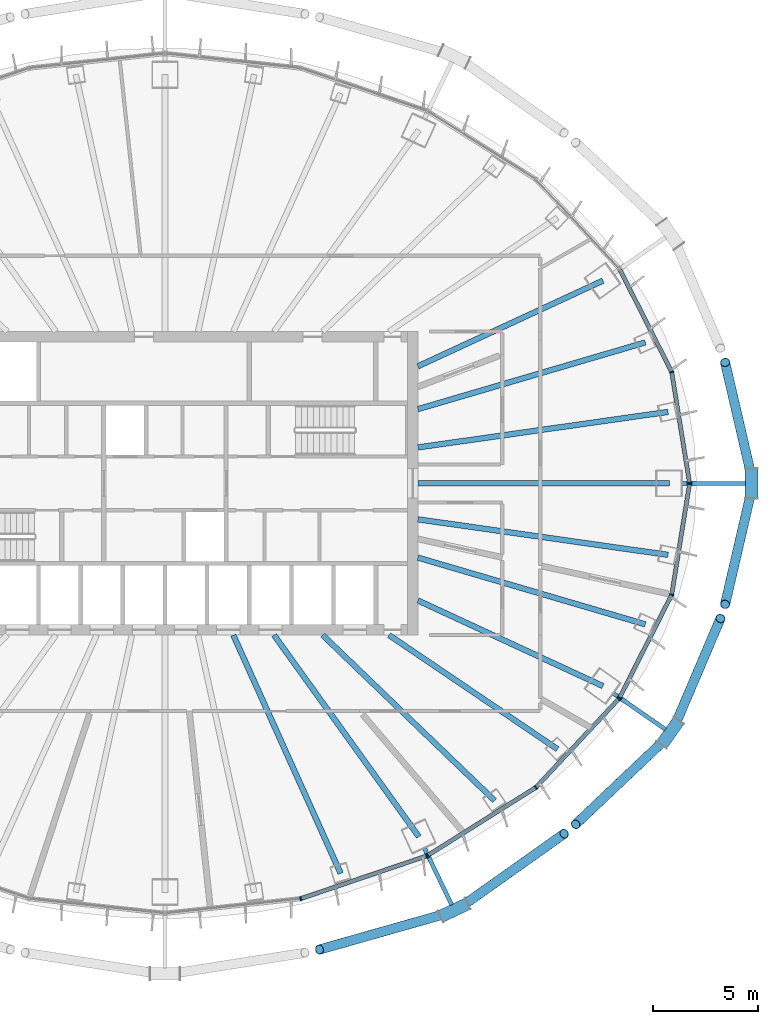
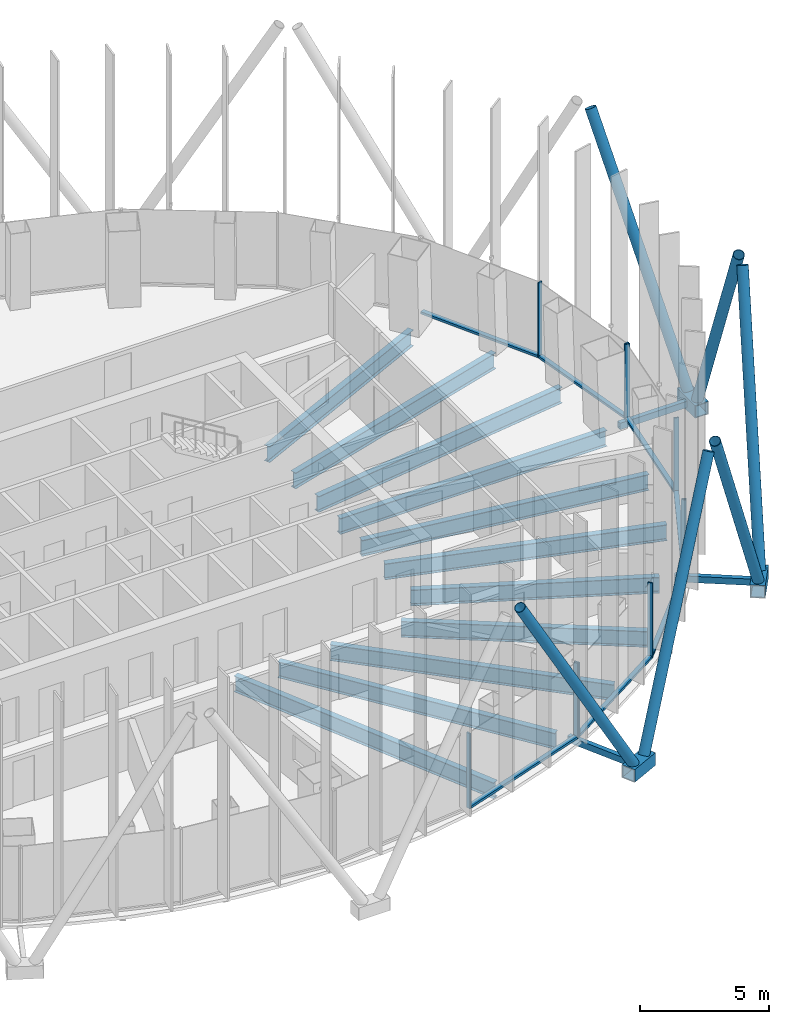
# One storey, part 4 of 19: 29 members, 11 beams, 4 elements without a shape of their own.
"""IFC4 building model written with IfcOpenShell, lengths in metres."""

from ifc_helpers import new_model, si_unit, direction, frame, origin, origin_2d, place, context, subcontext, project, spatial, rectangle, hollow_rectangle, hollow_circle, i_section, extrude, material, layer, layer_set, material_profile, profile_set, type_object, element, aggregate, save


model = new_model("IFC4")

# Units and contexts
model_context = context("Model", 3, precision=1e-05, world=origin(), true_north=direction((0.0, 1.0)))
body_context = subcontext(model_context, "Body", "Model", "MODEL_VIEW")
ifc_project = project(units=[si_unit("LENGTHUNIT", "METRE"), si_unit("AREAUNIT", "SQUARE_METRE"), si_unit("VOLUMEUNIT", "CUBIC_METRE"), si_unit("PLANEANGLEUNIT", "RADIAN"), si_unit("MASSUNIT", "GRAM", prefix="KILO")], contexts=[model_context])

# Site, building, storey
site_placement = place(None, origin())
site = spatial("IfcSite", under=ifc_project, at=site_placement, CompositionType="ELEMENT")
building_placement = place(site_placement, origin())
building = spatial("IfcBuilding", under=site, at=building_placement, Name="Siaravel Broadcast Tower", CompositionType="ELEMENT")
storey_placement = place(building_placement, frame((0.0, 0.0, 130.39990234375)))
storey = spatial("IfcBuildingStorey", under=building, at=storey_placement, Name="L31", CompositionType="ELEMENT", Elevation=130.39990234375)

# Beams
ifc_material_1 = material(Name="Steel S355", Category="steel")
ifc_material_profile_1 = material_profile(ifc_material_1, i_section(OverallWidth=0.26513671875, OverallDepth=0.75390625, WebThickness=0.0126953125, FlangeThickness=0.017578125, FilletRadius=0.0166015625, at=origin_2d()))
ifc_profile_set_1 = profile_set([ifc_material_profile_1], Name="Steel S355")
beam_type = type_object("IfcBeamType", Name="BM-UB 762x267x147", PredefinedType="BEAM", material=ifc_profile_set_1)
beam_1_placement = place(storey_placement, frame((23.928955078125, 0.0, -0.52685546875), z_axis=(-1.0, 0.0, 0.0), x_axis=(0.0, -1.0, 0.0)))
element("IfcBeam", 1, at=beam_1_placement, inside=storey, type_object=beam_type, Name="Radial beam RB01", PredefinedType="BEAM", context=body_context, shape_type="SweptSolid", body=[
    extrude(i_section(OverallWidth=0.26513671875, OverallDepth=0.75390625, WebThickness=0.0126953125, FlangeThickness=0.017578125, FilletRadius=0.0166015625, at=origin_2d()), origin(), (0.0, 0.0, 1.0), 11.928955078125),
])
beam_2_placement = place(storey_placement, frame((23.86669921875, 3.3916015625, -0.52685546875), z_axis=(-0.990053919, -0.140688442, 0.0), x_axis=(0.140688442, -0.990053919, 0.0)))
element("IfcBeam", 2, at=beam_2_placement, inside=storey, type_object=beam_type, Name="Radial beam RB02", PredefinedType="BEAM", context=body_context, shape_type="SweptSolid", body=[
    extrude(i_section(OverallWidth=0.26513671875, OverallDepth=0.75390625, WebThickness=0.0126953125, FlangeThickness=0.017578125, FilletRadius=0.0166015625, at=origin_2d()), origin(), (0.0, 0.0, 1.0), 11.98583984375),
])
beam_3_placement = place(storey_placement, frame((22.78857421875, 6.68701171875, -0.52685546875), z_axis=(-0.959541999, -0.281565538, 0.0), x_axis=(0.281565538, -0.959541999, 0.0)))
element("IfcBeam", 3, at=beam_3_placement, inside=storey, type_object=beam_type, Name="Radial beam RB03", PredefinedType="BEAM", context=body_context, shape_type="SweptSolid", body=[
    extrude(i_section(OverallWidth=0.26513671875, OverallDepth=0.75390625, WebThickness=0.0126953125, FlangeThickness=0.017578125, FilletRadius=0.0166015625, at=origin_2d()), origin(), (0.0, 0.0, 1.0), 11.243408203125),
])
beam_4_placement = place(storey_placement, frame((20.776611328125, 9.6171875, -0.52685546875), z_axis=(-0.907486689, -0.420080837, 0.0), x_axis=(0.420080837, -0.907486689, 0.0)))
element("IfcBeam", 4, at=beam_4_placement, inside=storey, type_object=beam_type, Name="Radial beam RB04", PredefinedType="BEAM", context=body_context, shape_type="SweptSolid", body=[
    extrude(i_section(OverallWidth=0.26513671875, OverallDepth=0.75390625, WebThickness=0.0126953125, FlangeThickness=0.017578125, FilletRadius=0.0166015625, at=origin_2d()), origin(), (0.0, 0.0, 1.0), 9.67138671875),
])
beam_5_placement = place(storey_placement, frame((8.331787109375, -18.49853515625, -0.52685546875), z_axis=(-0.410666942, 0.911785426, 0.0), x_axis=(-0.911785426, -0.410666942, 0.0)))
element("IfcBeam", 5, at=beam_5_placement, inside=storey, type_object=beam_type, Name="Radial beam RB30", PredefinedType="BEAM", context=body_context, shape_type="SweptSolid", body=[
    extrude(i_section(OverallWidth=0.26513671875, OverallDepth=0.75390625, WebThickness=0.0126953125, FlangeThickness=0.017578125, FilletRadius=0.0166015625, at=origin_2d()), origin(), (0.0, 0.0, 1.0), 12.3916015625),
])
beam_6_placement = place(storey_placement, frame((12.044189453125, -16.760498046875, -0.52685546875), z_axis=(-0.583550585, 0.812076791, 0.0), x_axis=(-0.812076791, -0.583550585, 0.0)))
element("IfcBeam", 6, at=beam_6_placement, inside=storey, type_object=beam_type, Name="Radial beam RB31", PredefinedType="BEAM", context=body_context, shape_type="SweptSolid", body=[
    extrude(i_section(OverallWidth=0.26513671875, OverallDepth=0.75390625, WebThickness=0.0126953125, FlangeThickness=0.017578125, FilletRadius=0.0166015625, at=origin_2d()), origin(), (0.0, 0.0, 1.0), 11.77294921875),
])
beam_7_placement = place(storey_placement, frame((15.63525390625, -15.0458984375, -0.52685546875), z_axis=(-0.720548164, 0.693404891, 0.0), x_axis=(-0.693404891, -0.720548164, 0.0)))
element("IfcBeam", 7, at=beam_7_placement, inside=storey, type_object=beam_type, Name="Radial beam RB32", PredefinedType="BEAM", context=body_context, shape_type="SweptSolid", body=[
    extrude(i_section(OverallWidth=0.26513671875, OverallDepth=0.75390625, WebThickness=0.0126953125, FlangeThickness=0.017578125, FilletRadius=0.0166015625, at=origin_2d()), origin(), (0.0, 0.0, 1.0), 11.315185546875),
])
beam_8_placement = place(storey_placement, frame((18.614501953125, -12.605712890625, -0.52685546875), z_axis=(-0.827999857, 0.56072831, 0.0), x_axis=(-0.56072831, -0.827999857, 0.0)))
element("IfcBeam", 8, at=beam_8_placement, inside=storey, type_object=beam_type, Name="Radial beam RB33", PredefinedType="BEAM", context=body_context, shape_type="SweptSolid", body=[
    extrude(i_section(OverallWidth=0.26513671875, OverallDepth=0.75390625, WebThickness=0.0126953125, FlangeThickness=0.017578125, FilletRadius=0.0166015625, at=origin_2d()), origin(), (0.0, 0.0, 1.0), 9.640625),
])
beam_9_placement = place(storey_placement, frame((20.776611328125, -9.6171875, -0.52685546875), z_axis=(-0.907486689, 0.420080837, 0.0), x_axis=(-0.420080837, -0.907486689, 0.0)))
element("IfcBeam", 9, at=beam_9_placement, inside=storey, type_object=beam_type, Name="Radial beam RB34", PredefinedType="BEAM", context=body_context, shape_type="SweptSolid", body=[
    extrude(i_section(OverallWidth=0.26513671875, OverallDepth=0.75390625, WebThickness=0.0126953125, FlangeThickness=0.017578125, FilletRadius=0.0166015625, at=origin_2d()), origin(), (0.0, 0.0, 1.0), 9.67138671875),
])
beam_10_placement = place(storey_placement, frame((22.78857421875, -6.68701171875, -0.52685546875), z_axis=(-0.959541999, 0.281565538, 0.0), x_axis=(-0.281565538, -0.959541999, 0.0)))
element("IfcBeam", 10, at=beam_10_placement, inside=storey, type_object=beam_type, Name="Radial beam RB35", PredefinedType="BEAM", context=body_context, shape_type="SweptSolid", body=[
    extrude(i_section(OverallWidth=0.26513671875, OverallDepth=0.75390625, WebThickness=0.0126953125, FlangeThickness=0.017578125, FilletRadius=0.0166015625, at=origin_2d()), origin(), (0.0, 0.0, 1.0), 11.243408203125),
])
beam_11_placement = place(storey_placement, frame((23.86669921875, -3.3916015625, -0.52685546875), z_axis=(-0.990053919, 0.140688442, 0.0), x_axis=(-0.140688442, -0.990053919, 0.0)))
element("IfcBeam", 11, at=beam_11_placement, inside=storey, type_object=beam_type, Name="Radial beam RB36", PredefinedType="BEAM", context=body_context, shape_type="SweptSolid", body=[
    extrude(i_section(OverallWidth=0.26513671875, OverallDepth=0.75390625, WebThickness=0.0126953125, FlangeThickness=0.017578125, FilletRadius=0.0166015625, at=origin_2d()), origin(), (0.0, 0.0, 1.0), 11.98583984375),
])

# Curtain wall, members
ifc_material_2 = material(Name="Aluminium 6063-T6", Category="aluminium")
ifc_layer = layer(ifc_material_2, 0.199951171875)
ifc_layer_set = layer_set([ifc_layer], Name="Aluminium 6063-T6")
curtain_wall_type = type_object("IfcCurtainWallType", Name="Unitised curtain wall, zone 2", PredefinedType="NOTDEFINED", material=ifc_layer_set)
curtain_wall_1_placement = place(storey_placement, origin())
curtain_wall_1 = element("IfcCurtainWall", 12, at=curtain_wall_1_placement, inside=storey, type_object=curtain_wall_type, Name="L31 Unitised curtain wall, zone 2 01", PredefinedType="NOTDEFINED")
ifc_material_profile_2 = material_profile(ifc_material_2, rectangle(XDim=0.199951171875, YDim=0.06494140625, at=origin_2d()))
ifc_profile_set_2 = profile_set([ifc_material_profile_2], Name="Aluminium 6063-T6")
member_type_1 = type_object("IfcMemberType", Name="CW-Z2 mullion", PredefinedType="MULLION", material=ifc_profile_set_2)
member_1_placement = place(storey_placement, frame((24.881591796875, 0.031982421875, 0.0), z_axis=(0.0, 0.0, 1.0), x_axis=(-0.987329298, -0.158684773, 0.0)))
member_1 = element("IfcMember", 13, at=member_1_placement, type_object=member_type_1, Name="CW-Z2 mullion 1", PredefinedType="MULLION", context=body_context, shape_type="SweptSolid", body=[
    extrude(rectangle(XDim=0.199951171875, YDim=0.06494140625, at=origin_2d()), origin(), (0.0, 0.0, 1.0), 3.550048828125),
])
member_2_placement = place(storey_placement, frame((24.0380859375, 5.281005859375, 0.0), z_axis=(0.0, 0.0, 1.0), x_axis=(-0.951177626, -0.308644007, 0.0)))
member_2 = element("IfcMember", 14, at=member_2_placement, type_object=member_type_1, Name="CW-Z2 mullion 2", PredefinedType="MULLION", context=body_context, shape_type="SweptSolid", body=[
    extrude(rectangle(XDim=0.199951171875, YDim=0.06494140625, at=origin_2d()), origin(), (0.0, 0.0, 1.0), 3.550048828125),
])

curtain_wall_2_placement = place(storey_placement, origin())
curtain_wall_2 = element("IfcCurtainWall", 15, at=curtain_wall_2_placement, inside=storey, type_object=curtain_wall_type, Name="L31 Unitised curtain wall, zone 2 10", PredefinedType="NOTDEFINED")
member_3_placement = place(storey_placement, frame((6.43896484375, -19.699951171875, 0.0), z_axis=(0.0, 0.0, 1.0), x_axis=(-0.215559096, 0.976490797, 0.0)))
member_3 = element("IfcMember", 16, at=member_3_placement, type_object=member_type_1, Name="CW-Z2 mullion 2", PredefinedType="MULLION", context=body_context, shape_type="SweptSolid", body=[
    extrude(rectangle(XDim=0.199951171875, YDim=0.06494140625, at=origin_2d()), origin(), (0.0, 0.0, 1.0), 3.550048828125),
])
member_4_placement = place(storey_placement, frame((12.408935546875, -17.67431640625, 0.0), z_axis=(0.0, 0.0, 1.0), x_axis=(-0.321302097, 0.946976749, 0.0)))
member_4 = element("IfcMember", 17, at=member_4_placement, type_object=member_type_1, Name="CW-Z2 mullion 3", PredefinedType="MULLION", context=body_context, shape_type="SweptSolid", body=[
    extrude(rectangle(XDim=0.199951171875, YDim=0.06494140625, at=origin_2d()), origin(), (0.0, 0.0, 1.0), 3.550048828125),
])

curtain_wall_3_placement = place(storey_placement, origin())
curtain_wall_3 = element("IfcCurtainWall", 18, at=curtain_wall_3_placement, inside=storey, type_object=curtain_wall_type, Name="L31 Unitised curtain wall, zone 2 11", PredefinedType="NOTDEFINED")
member_5_placement = place(storey_placement, frame((12.46728515625, -17.646484375, 0.0), z_axis=(0.0, 0.0, 1.0), x_axis=(-0.532151141, 0.846649374, 0.0)))
member_5 = element("IfcMember", 19, at=member_5_placement, type_object=member_type_1, Name="CW-Z2 mullion 1", PredefinedType="MULLION", context=body_context, shape_type="SweptSolid", body=[
    extrude(rectangle(XDim=0.199951171875, YDim=0.06494140625, at=origin_2d()), origin(), (0.0, 0.0, 1.0), 3.550048828125),
])
member_6_placement = place(storey_placement, frame((17.593994140625, -14.42431640625, 0.0), z_axis=(0.0, 0.0, 1.0), x_axis=(-0.63622045, 0.771507317, 0.0)))
member_6 = element("IfcMember", 20, at=member_6_placement, type_object=member_type_1, Name="CW-Z2 mullion 2", PredefinedType="MULLION", context=body_context, shape_type="SweptSolid", body=[
    extrude(rectangle(XDim=0.199951171875, YDim=0.06494140625, at=origin_2d()), origin(), (0.0, 0.0, 1.0), 3.550048828125),
])
member_7_placement = place(storey_placement, frame((21.528076171875, -10.224609375, 0.0), z_axis=(0.0, 0.0, 1.0), x_axis=(-0.729806913, 0.683653326, 0.0)))
member_7 = element("IfcMember", 21, at=member_7_placement, type_object=member_type_1, Name="CW-Z2 mullion 3", PredefinedType="MULLION", context=body_context, shape_type="SweptSolid", body=[
    extrude(rectangle(XDim=0.199951171875, YDim=0.06494140625, at=origin_2d()), origin(), (0.0, 0.0, 1.0), 3.550048828125),
])

curtain_wall_4_placement = place(storey_placement, origin())
curtain_wall_4 = element("IfcCurtainWall", 22, at=curtain_wall_4_placement, inside=storey, type_object=curtain_wall_type, Name="L31 Unitised curtain wall, zone 2 12", PredefinedType="NOTDEFINED")
member_8_placement = place(storey_placement, frame((21.56494140625, -10.172119140625, 0.0), z_axis=(0.0, 0.0, 1.0), x_axis=(-0.892392954, 0.451259145, 0.0)))
member_8 = element("IfcMember", 23, at=member_8_placement, type_object=member_type_1, Name="CW-Z2 mullion 1", PredefinedType="MULLION", context=body_context, shape_type="SweptSolid", body=[
    extrude(rectangle(XDim=0.199951171875, YDim=0.06494140625, at=origin_2d()), origin(), (0.0, 0.0, 1.0), 3.550048828125),
])
member_9_placement = place(storey_placement, frame((24.0380859375, -5.281005859375, 0.0), z_axis=(0.0, 0.0, 1.0), x_axis=(-0.951177626, 0.308644007, 0.0)))
member_9 = element("IfcMember", 24, at=member_9_placement, type_object=member_type_1, Name="CW-Z2 mullion 2", PredefinedType="MULLION", context=body_context, shape_type="SweptSolid", body=[
    extrude(rectangle(XDim=0.199951171875, YDim=0.06494140625, at=origin_2d()), origin(), (0.0, 0.0, 1.0), 3.550048828125),
])
member_10_placement = place(storey_placement, frame((24.881591796875, -0.031982421875, 0.0), z_axis=(0.0, 0.0, 1.0), x_axis=(-0.987329298, 0.158684773, 0.0)))
member_10 = element("IfcMember", 25, at=member_10_placement, type_object=member_type_1, Name="CW-Z2 mullion 3", PredefinedType="MULLION", context=body_context, shape_type="SweptSolid", body=[
    extrude(rectangle(XDim=0.199951171875, YDim=0.06494140625, at=origin_2d()), origin(), (0.0, 0.0, 1.0), 3.550048828125),
])

# Member
ifc_material_profile_3 = material_profile(ifc_material_2, rectangle(XDim=0.199951171875, YDim=0.110107421875, at=origin_2d()))
ifc_profile_set_3 = profile_set([ifc_material_profile_3], Name="Aluminium 6063-T6")
member_type_2 = type_object("IfcMemberType", Name="CW-Z2 transom", PredefinedType="USERDEFINED", material=ifc_profile_set_3)
member_11_placement = place(storey_placement, frame((24.876708984375, 0.064208984375, 0.05517578125), z_axis=(-0.158726655, 0.987322566, 0.0), x_axis=(-0.987322566, -0.158726655, 0.0)))
member_11 = element("IfcMember", 26, at=member_11_placement, type_object=member_type_2, Name="CW-Z2 transom 1", ObjectType="TRANSOM", PredefinedType="USERDEFINED", context=body_context, shape_type="SweptSolid", body=[
    extrude(rectangle(XDim=0.199951171875, YDim=0.110107421875, at=origin_2d()), origin(), (0.0, 0.0, 1.0), 5.251220703125),
])

member_12_placement = place(storey_placement, frame((24.0234375, 5.31005859375, 0.05517578125), z_axis=(-0.45124818, 0.892398498, 0.0), x_axis=(-0.892398498, -0.45124818, 0.0)))
member_12 = element("IfcMember", 27, at=member_12_placement, type_object=member_type_2, Name="CW-Z2 transom 2", ObjectType="TRANSOM", PredefinedType="USERDEFINED", context=body_context, shape_type="SweptSolid", body=[
    extrude(rectangle(XDim=0.199951171875, YDim=0.110107421875, at=origin_2d()), origin(), (0.0, 0.0, 1.0), 5.415771484375),
])

aggregate(curtain_wall_1, [member_1, member_2, member_11, member_12])

member_13_placement = place(storey_placement, frame((6.4697265625, -19.689453125, 0.05517578125), z_axis=(0.946983377, 0.32128256, 0.0), x_axis=(-0.32128256, 0.946983377, 0.0)))
member_13 = element("IfcMember", 28, at=member_13_placement, type_object=member_type_2, Name="CW-Z2 transom 2", ObjectType="TRANSOM", PredefinedType="USERDEFINED", context=body_context, shape_type="SweptSolid", body=[
    extrude(rectangle(XDim=0.199951171875, YDim=0.110107421875, at=origin_2d()), origin(), (0.0, 0.0, 1.0), 6.239501953125),
])

aggregate(curtain_wall_2, [member_3, member_4, member_13])

member_14_placement = place(storey_placement, frame((12.494873046875, -17.62939453125, 0.05517578125), z_axis=(0.84664232, 0.532162364, 0.0), x_axis=(-0.532162364, 0.84664232, 0.0)))
member_14 = element("IfcMember", 29, at=member_14_placement, type_object=member_type_2, Name="CW-Z2 transom 1", ObjectType="TRANSOM", PredefinedType="USERDEFINED", context=body_context, shape_type="SweptSolid", body=[
    extrude(rectangle(XDim=0.199951171875, YDim=0.110107421875, at=origin_2d()), origin(), (0.0, 0.0, 1.0), 5.990234375),
])

member_15_placement = place(storey_placement, frame((17.6162109375, -14.400634765625, 0.05517578125), z_axis=(0.683644181, 0.72981548, 0.0), x_axis=(-0.72981548, 0.683644181, 0.0)))
member_15 = element("IfcMember", 30, at=member_15_placement, type_object=member_type_2, Name="CW-Z2 transom 2", ObjectType="TRANSOM", PredefinedType="USERDEFINED", context=body_context, shape_type="SweptSolid", body=[
    extrude(rectangle(XDim=0.199951171875, YDim=0.110107421875, at=origin_2d()), origin(), (0.0, 0.0, 1.0), 5.689697265625),
])

aggregate(curtain_wall_3, [member_5, member_6, member_7, member_14, member_15])

member_16_placement = place(storey_placement, frame((21.57958984375, -10.14306640625, 0.05517578125), z_axis=(0.45124818, 0.892398498, 0.0), x_axis=(-0.892398498, 0.45124818, 0.0)))
member_16 = element("IfcMember", 31, at=member_16_placement, type_object=member_type_2, Name="CW-Z2 transom 1", ObjectType="TRANSOM", PredefinedType="USERDEFINED", context=body_context, shape_type="SweptSolid", body=[
    extrude(rectangle(XDim=0.199951171875, YDim=0.110107421875, at=origin_2d()), origin(), (0.0, 0.0, 1.0), 5.415771484375),
])

member_17_placement = place(storey_placement, frame((24.043212890625, -5.248779296875, 0.05517578125), z_axis=(0.158726655, 0.987322566, 0.0), x_axis=(-0.987322566, 0.158726655, 0.0)))
member_17 = element("IfcMember", 32, at=member_17_placement, type_object=member_type_2, Name="CW-Z2 transom 2", ObjectType="TRANSOM", PredefinedType="USERDEFINED", context=body_context, shape_type="SweptSolid", body=[
    extrude(rectangle(XDim=0.199951171875, YDim=0.110107421875, at=origin_2d()), origin(), (0.0, 0.0, 1.0), 5.251220703125),
])

aggregate(curtain_wall_4, [member_8, member_9, member_10, member_16, member_17])

# Members
ifc_material_3 = material(Name="Steel S460", Category="steel")
ifc_material_profile_4 = material_profile(ifc_material_3, hollow_circle(Radius=0.228515625, WallThickness=0.02001953125, at=origin_2d()))
ifc_profile_set_4 = profile_set([ifc_material_profile_4], Name="Steel S460")
member_type_3 = type_object("IfcMemberType", Name="Diagrid diagonal CHS 457x20", PredefinedType="BRACE", material=ifc_profile_set_4)
for number, where, z_axis, x_axis, name in (
    (33, (27.821044921875, -0.351318359375, 0.070068359375), (-0.104875429, -0.452023132, 0.885819526), (0.974124969, -0.226010056, 0.0), "Diagrid diagonal R13 station 00C"),
    (34, (27.821044921875, 0.351318359375, 0.070068359375), (-0.104875429, 0.452023132, 0.885819526), (-0.974124969, -0.226010056, 0.0), "Diagrid diagonal R13 station 00A"),
):
    element("IfcMember", number, at=place(storey_placement, frame(where, z_axis=z_axis, x_axis=x_axis)), inside=storey, type_object=member_type_3, Name=name, PredefinedType="BRACE", context=body_context, shape_type="SweptSolid", body=[
        extrude(hollow_circle(Radius=0.228515625, WallThickness=0.02001953125, at=origin_2d()), origin(), (0.0, 0.0, 1.0), 11.921142578125),
    ])
member_18_placement = place(storey_placement, frame((13.404541015625, -20.391845703125, 0.070068359375), z_axis=(-0.493780436, -0.140062529, 0.858232701), x_axis=(0.27288765, -0.962045909, 0.0)))
element("IfcMember", 35, at=member_18_placement, inside=storey, type_object=member_type_3, Name="Diagrid diagonal R13 station 60C", PredefinedType="BRACE", context=body_context, shape_type="SweptSolid", body=[
    extrude(hollow_circle(Radius=0.228515625, WallThickness=0.02001953125, at=origin_2d()), origin(), (0.0, 0.0, 1.0), 12.304443359375),
])
member_19_placement = place(storey_placement, frame((14.039794921875, -20.09130859375, 0.070068359375), z_axis=(0.40322927, 0.285795755, 0.869325567), x_axis=(-0.578253125, 0.815857416, 0.0)))
element("IfcMember", 36, at=member_19_placement, inside=storey, type_object=member_type_3, Name="Diagrid diagonal R13 station 60A", PredefinedType="BRACE", context=body_context, shape_type="SweptSolid", body=[
    extrude(hollow_circle(Radius=0.228515625, WallThickness=0.02001953125, at=origin_2d()), origin(), (0.0, 0.0, 1.0), 12.1474609375),
])
member_20_placement = place(storey_placement, frame((23.764892578125, -12.114501953125, 0.070068359375), z_axis=(-0.354065042, -0.335598928, 0.872932589), x_axis=(0.687927073, -0.725779817, 0.0)))
element("IfcMember", 37, at=member_20_placement, inside=storey, type_object=member_type_3, Name="Diagrid diagonal R13 station 66C", PredefinedType="BRACE", context=body_context, shape_type="SweptSolid", body=[
    extrude(hollow_circle(Radius=0.228515625, WallThickness=0.02001953125, at=origin_2d()), origin(), (0.0, 0.0, 1.0), 12.09716796875),
])
member_21_placement = place(storey_placement, frame((24.169677734375, -11.540283203125, 0.070068359375), z_axis=(0.182781146, 0.429773854, 0.884242889), x_axis=(-0.920232801, 0.391371425, 0.0)))
element("IfcMember", 38, at=member_21_placement, inside=storey, type_object=member_type_3, Name="Diagrid diagonal R13 station 66A", PredefinedType="BRACE", context=body_context, shape_type="SweptSolid", body=[
    extrude(hollow_circle(Radius=0.228515625, WallThickness=0.02001953125, at=origin_2d()), origin(), (0.0, 0.0, 1.0), 11.9423828125),
])
ifc_material_profile_5 = material_profile(ifc_material_3, hollow_rectangle(XDim=0.60009765625, YDim=0.60009765625, WallThickness=0.0400390625, at=origin_2d()))
ifc_profile_set_5 = profile_set([ifc_material_profile_5], Name="Steel S460")
member_type_4 = type_object("IfcMemberType", Name="Diagrid node BOX 600x600x40", PredefinedType="USERDEFINED", material=ifc_profile_set_5)
member_22_placement = place(storey_placement, frame((27.821044921875, -0.699951171875, -0.199951171875), z_axis=(0.0, 1.0, 0.0), x_axis=(-1.0, 0.0, 0.0)))
element("IfcMember", 39, at=member_22_placement, inside=storey, type_object=member_type_4, Name="Diagrid node R13 station 00", ObjectType="DIAGRID NODE", PredefinedType="USERDEFINED", context=body_context, shape_type="SweptSolid", body=[
    extrude(hollow_rectangle(XDim=0.60009765625, YDim=0.60009765625, WallThickness=0.0400390625, at=origin_2d()), origin(), (0.0, 0.0, 1.0), 1.39990234375),
])
for number, where, z_axis, x_axis, name in (
    (40, (13.08935546875, -20.540771484375, -0.199951171875), (0.904014668, 0.427501438, 0.0), (-0.427501438, 0.904014668, 0.0), "Diagrid node R13 station 60"),
    (41, (23.564208984375, -12.3994140625, -0.199951171875), (0.576128367, 0.817359227, 0.0), (-0.817359227, 0.576128367, 0.0), "Diagrid node R13 station 66"),
):
    element("IfcMember", number, at=place(storey_placement, frame(where, z_axis=z_axis, x_axis=x_axis)), inside=storey, type_object=member_type_4, Name=name, ObjectType="DIAGRID NODE", PredefinedType="USERDEFINED", context=body_context, shape_type="SweptSolid", body=[
        extrude(hollow_rectangle(XDim=0.60009765625, YDim=0.60009765625, WallThickness=0.0400390625, at=origin_2d()), origin(), (0.0, 0.0, 1.0), 1.399658203125),
    ])
ifc_material_profile_6 = material_profile(ifc_material_3, hollow_rectangle(XDim=0.199951171875, YDim=0.300048828125, WallThickness=0.012451171875, at=origin_2d()))
ifc_profile_set_6 = profile_set([ifc_material_profile_6], Name="Steel S460")
member_type_5 = type_object("IfcMemberType", Name="Diagrid node arm RHS 300x200x12.5", PredefinedType="STRUT", material=ifc_profile_set_6)
member_23_placement = place(storey_placement, frame((24.52392578125, 0.0, -0.199951171875), z_axis=(1.0, 0.0, 0.0), x_axis=(0.0, 1.0, 0.0)))
element("IfcMember", 42, at=member_23_placement, inside=storey, type_object=member_type_5, Name="Node arm R13 station 00", PredefinedType="STRUT", context=body_context, shape_type="SweptSolid", body=[
    extrude(hollow_rectangle(XDim=0.199951171875, YDim=0.300048828125, WallThickness=0.012451171875, at=origin_2d()), origin(), (0.0, 0.0, 1.0), 3.027099609375),
])
member_24_placement = place(storey_placement, frame((12.302490234375, -17.29638671875, -0.199951171875), z_axis=(0.434241398, -0.900796541, 0.0), x_axis=(0.900796541, 0.434241398, 0.0)))
element("IfcMember", 43, at=member_24_placement, inside=storey, type_object=member_type_5, Name="Node arm R13 station 60", PredefinedType="STRUT", context=body_context, shape_type="SweptSolid", body=[
    extrude(hollow_rectangle(XDim=0.199951171875, YDim=0.300048828125, WallThickness=0.012451171875, at=origin_2d()), origin(), (0.0, 0.0, 1.0), 2.99951171875),
])
member_25_placement = place(storey_placement, frame((21.265869140625, -9.955810546875, -0.199951171875), z_axis=(0.822005667, -0.56947931, 0.0), x_axis=(0.56947931, 0.822005667, 0.0)))
element("IfcMember", 44, at=member_25_placement, inside=storey, type_object=member_type_5, Name="Node arm R13 station 66", PredefinedType="STRUT", context=body_context, shape_type="SweptSolid", body=[
    extrude(hollow_rectangle(XDim=0.199951171875, YDim=0.300048828125, WallThickness=0.012451171875, at=origin_2d()), origin(), (0.0, 0.0, 1.0), 3.016357421875),
])

save(model, "model.ifc")
